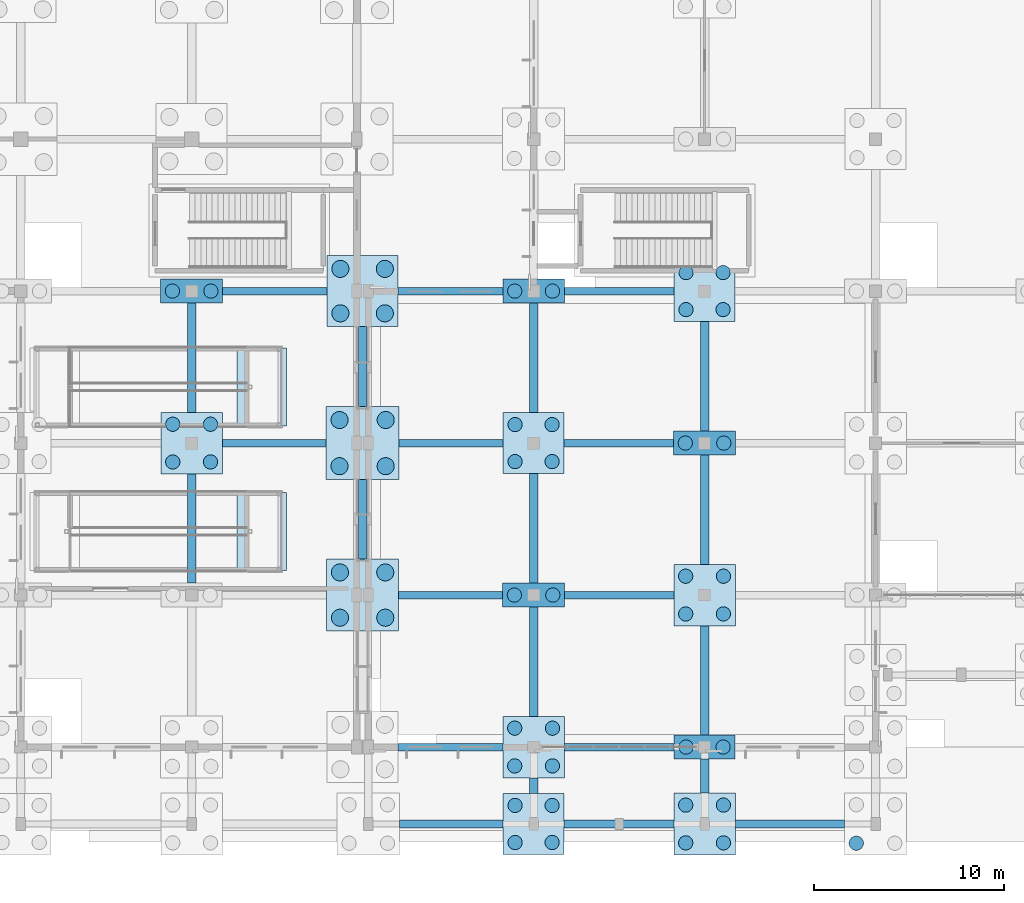
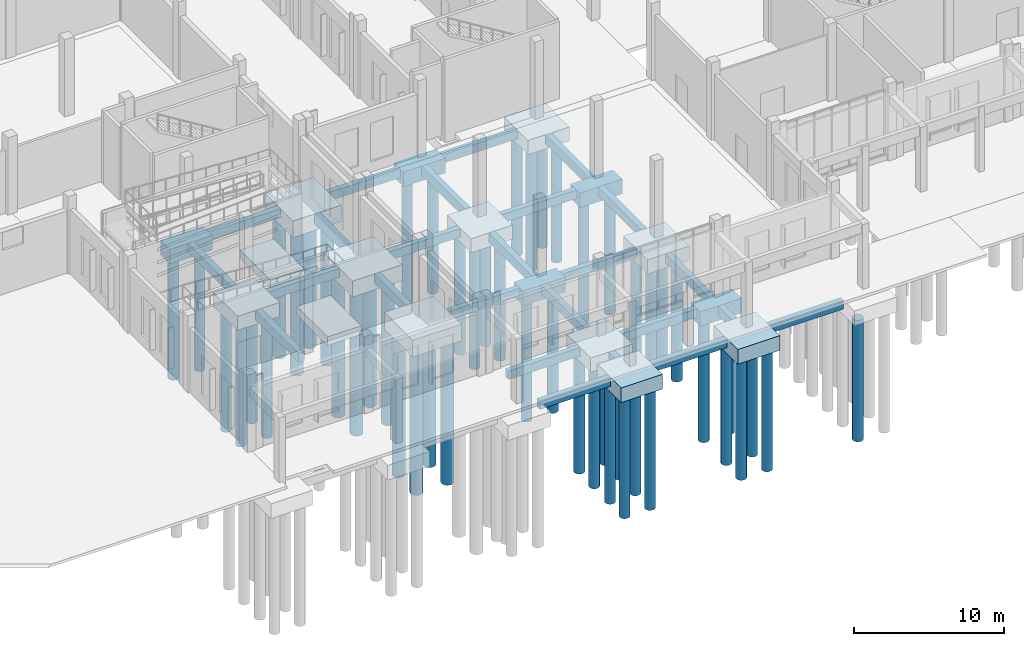
# One storey, part 4 of 99: 51 piles, 42 footings.
"""IFC4 building model written with IfcOpenShell, lengths in metres."""

from ifc_helpers import new_model, si_unit, direction, frame, origin, origin_2d, place, context, subcontext, project, spatial, polyline, rectangle, circle, outline, extrude, material, layer, layer_set, material_profile, profile_set, type_object, element, save


model = new_model("IFC4")

# Units and contexts
model_context = context("Model", 3, precision=1e-05, world=origin(), true_north=direction((0.0, 1.0)))
body_context = subcontext(model_context, "Body", "Model", "MODEL_VIEW")
ifc_project = project(units=[si_unit("LENGTHUNIT", "METRE"), si_unit("AREAUNIT", "SQUARE_METRE"), si_unit("VOLUMEUNIT", "CUBIC_METRE"), si_unit("PLANEANGLEUNIT", "RADIAN"), si_unit("MASSUNIT", "GRAM", prefix="KILO")], contexts=[model_context])

# Site, building, storey
site_placement = place(None, origin())
site = spatial("IfcSite", under=ifc_project, at=site_placement, CompositionType="ELEMENT")
building_placement = place(site_placement, origin())
building = spatial("IfcBuilding", under=site, at=building_placement, Name="Zacnel Wholesale Market", CompositionType="ELEMENT")
storey_placement = place(building_placement, origin())
storey = spatial("IfcBuildingStorey", under=building, at=storey_placement, Name="L01", CompositionType="ELEMENT", Elevation=0.0)

# Footings
ifc_material_1 = material(Name="Concrete C35/45", Category="concrete")
ifc_material_profile_1 = material_profile(ifc_material_1, rectangle(XDim=0.39990234375, YDim=0.699951171875, at=origin_2d()), Name="CT 400x700")
ifc_profile_set_1 = profile_set([ifc_material_profile_1], Name="Concrete C35/45")
footing_type_1 = type_object("IfcFootingType", Name="FTG-CT400X700", PredefinedType="FOOTING_BEAM", material=ifc_profile_set_1)
footing_1_placement = place(storey_placement, frame((73.93505859375, -4.050048828125, -0.85009765625), z_axis=(1.0, 0.0, 0.0), x_axis=(0.0, 1.0, 0.0)))
element("IfcFooting", 1, at=footing_1_placement, inside=storey, type_object=footing_type_1, Name="Ground tie beam CT-X-0248", PredefinedType="FOOTING_BEAM", context=body_context, shape_type="SweptSolid", body=[
    extrude(rectangle(XDim=0.39990234375, YDim=0.699951171875, at=origin_2d()), origin(), (0.0, 0.0, 1.0), 5.46484375),
])
footing_2_placement = place(storey_placement, frame((82.60009765625, -4.050048828125, -0.85009765625), z_axis=(1.0, 0.0, 0.0), x_axis=(0.0, 1.0, 0.0)))
element("IfcFooting", 2, at=footing_2_placement, inside=storey, type_object=footing_type_1, Name="Ground tie beam CT-X-0249", PredefinedType="FOOTING_BEAM", context=body_context, shape_type="SweptSolid", body=[
    extrude(rectangle(XDim=0.39990234375, YDim=0.699951171875, at=origin_2d()), origin(), (0.0, 0.0, 1.0), 5.77978515625),
])
footing_3_placement = place(storey_placement, frame((91.6201171875, -4.050048828125, -0.85009765625), z_axis=(1.0, 0.0, 0.0), x_axis=(0.0, 1.0, 0.0)))
element("IfcFooting", 3, at=footing_3_placement, inside=storey, type_object=footing_type_1, Name="Ground tie beam CT-X-0250", PredefinedType="FOOTING_BEAM", context=body_context, shape_type="SweptSolid", body=[
    extrude(rectangle(XDim=0.39990234375, YDim=0.699951171875, at=origin_2d()), origin(), (0.0, 0.0, 1.0), 5.744873046875),
])
footing_4_placement = place(storey_placement, frame((73.8701171875, 0.0, -0.85009765625), z_axis=(1.0, 0.0, 0.0), x_axis=(0.0, 1.0, 0.0)))
element("IfcFooting", 4, at=footing_4_placement, inside=storey, type_object=footing_type_1, Name="Ground tie beam CT-X-0253", PredefinedType="FOOTING_BEAM", context=body_context, shape_type="SweptSolid", body=[
    extrude(rectangle(XDim=0.39990234375, YDim=0.699951171875, at=origin_2d()), origin(), (0.0, 0.0, 1.0), 5.509765625),
])
footing_5_placement = place(storey_placement, frame((82.6201171875, 0.0, -0.85009765625), z_axis=(1.0, 0.0, 0.0), x_axis=(0.0, 1.0, 0.0)))
element("IfcFooting", 5, at=footing_5_placement, inside=storey, type_object=footing_type_1, Name="Ground tie beam CT-X-0254", PredefinedType="FOOTING_BEAM", context=body_context, shape_type="SweptSolid", body=[
    extrude(rectangle(XDim=0.39990234375, YDim=0.699951171875, at=origin_2d()), origin(), (0.0, 0.0, 1.0), 5.77978515625),
])
footing_6_placement = place(storey_placement, frame((73.889892578125, 8.0, -0.85009765625), z_axis=(1.0, 0.0, 0.0), x_axis=(0.0, 1.0, 0.0)))
element("IfcFooting", 6, at=footing_6_placement, inside=storey, type_object=footing_type_1, Name="Ground tie beam CT-X-0269", PredefinedType="FOOTING_BEAM", context=body_context, shape_type="SweptSolid", body=[
    extrude(rectangle(XDim=0.39990234375, YDim=0.699951171875, at=origin_2d()), origin(), (0.0, 0.0, 1.0), 5.47509765625),
])
footing_7_placement = place(storey_placement, frame((82.635009765625, 8.0, -0.85009765625), z_axis=(1.0, 0.0, 0.0), x_axis=(0.0, 1.0, 0.0)))
element("IfcFooting", 7, at=footing_7_placement, inside=storey, type_object=footing_type_1, Name="Ground tie beam CT-X-0270", PredefinedType="FOOTING_BEAM", context=body_context, shape_type="SweptSolid", body=[
    extrude(rectangle(XDim=0.39990234375, YDim=0.699951171875, at=origin_2d()), origin(), (0.0, 0.0, 1.0), 5.744873046875),
])
footing_8_placement = place(storey_placement, frame((64.6201171875, 16.0, -0.85009765625), z_axis=(1.0, 0.0, 0.0), x_axis=(0.0, 1.0, 0.0)))
element("IfcFooting", 8, at=footing_8_placement, inside=storey, type_object=footing_type_1, Name="Ground tie beam CT-X-0284", PredefinedType="FOOTING_BEAM", context=body_context, shape_type="SweptSolid", body=[
    extrude(rectangle(XDim=0.39990234375, YDim=0.699951171875, at=origin_2d()), origin(), (0.0, 0.0, 1.0), 5.46484375),
])
footing_9_placement = place(storey_placement, frame((73.9150390625, 16.0, -0.85009765625), z_axis=(1.0, 0.0, 0.0), x_axis=(0.0, 1.0, 0.0)))
element("IfcFooting", 9, at=footing_9_placement, inside=storey, type_object=footing_type_1, Name="Ground tie beam CT-X-0285", PredefinedType="FOOTING_BEAM", context=body_context, shape_type="SweptSolid", body=[
    extrude(rectangle(XDim=0.39990234375, YDim=0.699951171875, at=origin_2d()), origin(), (0.0, 0.0, 1.0), 5.48486328125),
])
footing_10_placement = place(storey_placement, frame((82.60009765625, 16.0, -0.85009765625), z_axis=(1.0, 0.0, 0.0), x_axis=(0.0, 1.0, 0.0)))
element("IfcFooting", 10, at=footing_10_placement, inside=storey, type_object=footing_type_1, Name="Ground tie beam CT-X-0286", PredefinedType="FOOTING_BEAM", context=body_context, shape_type="SweptSolid", body=[
    extrude(rectangle(XDim=0.39990234375, YDim=0.699951171875, at=origin_2d()), origin(), (0.0, 0.0, 1.0), 5.764892578125),
])
footing_11_placement = place(storey_placement, frame((64.635009765625, 24.0, -0.85009765625), z_axis=(1.0, 0.0, 0.0), x_axis=(0.0, 1.0, 0.0)))
element("IfcFooting", 11, at=footing_11_placement, inside=storey, type_object=footing_type_1, Name="Ground tie beam CT-X-0304", PredefinedType="FOOTING_BEAM", context=body_context, shape_type="SweptSolid", body=[
    extrude(rectangle(XDim=0.39990234375, YDim=0.699951171875, at=origin_2d()), origin(), (0.0, 0.0, 1.0), 5.494873046875),
])
footing_12_placement = place(storey_placement, frame((73.8701171875, 24.0, -0.85009765625), z_axis=(1.0, 0.0, 0.0), x_axis=(0.0, 1.0, 0.0)))
element("IfcFooting", 12, at=footing_12_placement, inside=storey, type_object=footing_type_1, Name="Ground tie beam CT-X-0305", PredefinedType="FOOTING_BEAM", context=body_context, shape_type="SweptSolid", body=[
    extrude(rectangle(XDim=0.39990234375, YDim=0.699951171875, at=origin_2d()), origin(), (0.0, 0.0, 1.0), 5.509765625),
])
footing_13_placement = place(storey_placement, frame((82.6201171875, 24.0, -0.85009765625), z_axis=(1.0, 0.0, 0.0), x_axis=(0.0, 1.0, 0.0)))
element("IfcFooting", 13, at=footing_13_placement, inside=storey, type_object=footing_type_1, Name="Ground tie beam CT-X-0306", PredefinedType="FOOTING_BEAM", context=body_context, shape_type="SweptSolid", body=[
    extrude(rectangle(XDim=0.39990234375, YDim=0.699951171875, at=origin_2d()), origin(), (0.0, 0.0, 1.0), 5.77978515625),
])
ifc_material_2 = material(Name="Concrete C35/45", Category="concrete")
ifc_material_profile_2 = material_profile(ifc_material_2, rectangle(XDim=0.449951171875, YDim=0.75, at=origin_2d()), Name="CT 450x750")
ifc_profile_set_2 = profile_set([ifc_material_profile_2], Name="Concrete C35/45")
footing_type_2 = type_object("IfcFootingType", Name="FTG-CT450X750", PredefinedType="FOOTING_BEAM", material=ifc_profile_set_2)
for number, where, z_axis, x_axis, name in (
    (14, (63.0, 8.625, -0.875), (0.0, 1.0, 0.0), (-1.0, 0.0, 0.0), "Ground tie beam CT-Y-0074"),
    (15, (63.0, 17.6201171875, -0.875), (0.0, 1.0, 0.0), (-1.0, 0.0, 0.0), "Ground tie beam CT-Y-0075"),
):
    element("IfcFooting", number, at=place(storey_placement, frame(where, z_axis=z_axis, x_axis=x_axis)), inside=storey, type_object=footing_type_2, Name=name, PredefinedType="FOOTING_BEAM", context=body_context, shape_type="SweptSolid", body=[
        extrude(rectangle(XDim=0.449951171875, YDim=0.75, at=origin_2d()), origin(), (0.0, 0.0, 1.0), 5.7548828125),
    ])
footing_14_placement = place(storey_placement, frame((72.0, 9.889892578125, -0.875), z_axis=(0.0, 1.0, 0.0), x_axis=(-1.0, 0.0, 0.0)))
element("IfcFooting", 16, at=footing_14_placement, inside=storey, type_object=footing_type_2, Name="Ground tie beam CT-Y-0094", PredefinedType="FOOTING_BEAM", context=body_context, shape_type="SweptSolid", body=[
    extrude(rectangle(XDim=0.449951171875, YDim=0.75, at=origin_2d()), origin(), (0.0, 0.0, 1.0), 4.195068359375),
])
footing_15_placement = place(storey_placement, frame((72.0, 17.9150390625, -0.875), z_axis=(0.0, 1.0, 0.0), x_axis=(-1.0, 0.0, 0.0)))
element("IfcFooting", 17, at=footing_15_placement, inside=storey, type_object=footing_type_2, Name="Ground tie beam CT-Y-0095", PredefinedType="FOOTING_BEAM", context=body_context, shape_type="SweptSolid", body=[
    extrude(rectangle(XDim=0.449951171875, YDim=0.75, at=origin_2d()), origin(), (0.0, 0.0, 1.0), 4.21484375),
])
footing_16_placement = place(storey_placement, frame((81.0, -2.449951171875, -0.875), z_axis=(0.0, 1.0, 0.0), x_axis=(-1.0, 0.0, 0.0)))
element("IfcFooting", 18, at=footing_16_placement, inside=storey, type_object=footing_type_2, Name="Ground tie beam CT-Y-0097", PredefinedType="FOOTING_BEAM", context=body_context, shape_type="SweptSolid", body=[
    extrude(rectangle(XDim=0.449951171875, YDim=0.75, at=origin_2d()), origin(), (0.0, 0.0, 1.0), 0.829833984375),
])
footing_17_placement = place(storey_placement, frame((81.0, 1.6201171875, -0.875), z_axis=(0.0, 1.0, 0.0), x_axis=(-1.0, 0.0, 0.0)))
element("IfcFooting", 19, at=footing_17_placement, inside=storey, type_object=footing_type_2, Name="Ground tie beam CT-Y-0098", PredefinedType="FOOTING_BEAM", context=body_context, shape_type="SweptSolid", body=[
    extrude(rectangle(XDim=0.449951171875, YDim=0.75, at=origin_2d()), origin(), (0.0, 0.0, 1.0), 5.7548828125),
])
for number, where, z_axis, x_axis, name in (
    (20, (81.0, 8.625, -0.875), (0.0, 1.0, 0.0), (-1.0, 0.0, 0.0), "Ground tie beam CT-Y-0099"),
    (21, (81.0, 17.60009765625, -0.875), (0.0, 1.0, 0.0), (-1.0, 0.0, 0.0), "Ground tie beam CT-Y-0100"),
):
    element("IfcFooting", number, at=place(storey_placement, frame(where, z_axis=z_axis, x_axis=x_axis)), inside=storey, type_object=footing_type_2, Name=name, PredefinedType="FOOTING_BEAM", context=body_context, shape_type="SweptSolid", body=[
        extrude(rectangle(XDim=0.449951171875, YDim=0.75, at=origin_2d()), origin(), (0.0, 0.0, 1.0), 5.77490234375),
    ])
footing_18_placement = place(storey_placement, frame((90.0, -2.429931640625, -0.875), z_axis=(0.0, 1.0, 0.0), x_axis=(-1.0, 0.0, 0.0)))
element("IfcFooting", 22, at=footing_18_placement, inside=storey, type_object=footing_type_2, Name="Ground tie beam CT-Y-0106", PredefinedType="FOOTING_BEAM", context=body_context, shape_type="SweptSolid", body=[
    extrude(rectangle(XDim=0.449951171875, YDim=0.75, at=origin_2d()), origin(), (0.0, 0.0, 1.0), 1.804931640625),
])
for number, where, z_axis, x_axis, name in (
    (23, (90.0, 0.625, -0.875), (0.0, 1.0, 0.0), (-1.0, 0.0, 0.0), "Ground tie beam CT-Y-0107"),
    (24, (90.0, 9.6201171875, -0.875), (0.0, 1.0, 0.0), (-1.0, 0.0, 0.0), "Ground tie beam CT-Y-0108"),
):
    element("IfcFooting", number, at=place(storey_placement, frame(where, z_axis=z_axis, x_axis=x_axis)), inside=storey, type_object=footing_type_2, Name=name, PredefinedType="FOOTING_BEAM", context=body_context, shape_type="SweptSolid", body=[
        extrude(rectangle(XDim=0.449951171875, YDim=0.75, at=origin_2d()), origin(), (0.0, 0.0, 1.0), 5.7548828125),
    ])
footing_19_placement = place(storey_placement, frame((90.0, 16.625, -0.875), z_axis=(0.0, 1.0, 0.0), x_axis=(-1.0, 0.0, 0.0)))
element("IfcFooting", 25, at=footing_19_placement, inside=storey, type_object=footing_type_2, Name="Ground tie beam CT-Y-0109", PredefinedType="FOOTING_BEAM", context=body_context, shape_type="SweptSolid", body=[
    extrude(rectangle(XDim=0.449951171875, YDim=0.75, at=origin_2d()), origin(), (0.0, 0.0, 1.0), 5.77490234375),
])
ifc_material_3 = material(Name="Concrete C35/45", Category="concrete")
ifc_layer_1 = layer(ifc_material_3, 1.199951171875)
ifc_layer_set_1 = layer_set([ifc_layer_1], Name="Concrete C35/45")
footing_type_3 = type_object("IfcFootingType", Name="FTG-PC-3200X1250X1200", PredefinedType="PILE_CAP", material=ifc_layer_set_1)
footing_20_placement = place(storey_placement, frame((90.0, 0.0, -1.7001953125), z_axis=(0.0, 0.0, 1.0), x_axis=(1.0, 0.0, 0.0)))
element("IfcFooting", 26, at=footing_20_placement, inside=storey, type_object=footing_type_3, Name="Pile cap PC-12 (STR-PC-138)", PredefinedType="PILE_CAP", context=body_context, shape_type="SweptSolid", body=[
    extrude(rectangle(XDim=3.199951171875, YDim=1.25, at=origin_2d()), origin(), (0.0, 0.0, 1.0), 1.199951171875),
])
ifc_material_4 = material(Name="Concrete C35/45", Category="concrete")
ifc_layer_2 = layer(ifc_material_4, 1.14990234375)
ifc_layer_set_2 = layer_set([ifc_layer_2], Name="Concrete C35/45")
footing_type_4 = type_object("IfcFootingType", Name="FTG-PC-3200X3200X1150", PredefinedType="PILE_CAP", material=ifc_layer_set_2)
for number, where, z_axis, x_axis, name in (
    (27, (81.0, 16.0, -1.64990234375), (0.0, 0.0, 1.0), (1.0, 0.0, 0.0), "Pile cap PC-09 (STR-PC-129)"),
    (28, (90.0, 24.0, -1.64990234375), (0.0, 0.0, 1.0), (1.0, 0.0, 0.0), "Pile cap PC-09 (STR-PC-141)"),
):
    element("IfcFooting", number, at=place(storey_placement, frame(where, z_axis=z_axis, x_axis=x_axis)), inside=storey, type_object=footing_type_4, Name=name, PredefinedType="PILE_CAP", context=body_context, shape_type="SweptSolid", body=[
        extrude(rectangle(XDim=3.199951171875, YDim=3.199951171875, at=origin_2d()), origin(), (0.0, 0.0, 1.0), 1.14990234375),
    ])
ifc_material_5 = material(Name="Concrete C35/45", Category="concrete")
ifc_layer_3 = layer(ifc_material_5, 1.199951171875)
ifc_layer_set_3 = layer_set([ifc_layer_3], Name="Concrete C35/45")
footing_type_5 = type_object("IfcFootingType", Name="FTG-PC-3200X3200X1200", PredefinedType="PILE_CAP", material=ifc_layer_set_3)
footing_21_placement = place(storey_placement, frame((81.0, -4.050048828125, -1.7001953125), z_axis=(0.0, 0.0, 1.0), x_axis=(1.0, 0.0, 0.0)))
element("IfcFooting", 29, at=footing_21_placement, inside=storey, type_object=footing_type_5, Name="Pile cap PC-21 (STR-PC-R2-BV4W-04)", PredefinedType="PILE_CAP", context=body_context, shape_type="SweptSolid", body=[
    extrude(rectangle(XDim=3.199951171875, YDim=3.199951171875, at=origin_2d()), origin(), (0.0, 0.0, 1.0), 1.199951171875),
])
ifc_material_6 = material(Name="Concrete C35/45", Category="concrete")
ifc_layer_4 = layer(ifc_material_6, 1.199951171875)
ifc_layer_set_4 = layer_set([ifc_layer_4], Name="Concrete C35/45")
footing_type_6 = type_object("IfcFootingType", Name="FTG-PC-3240X1250X1200", PredefinedType="PILE_CAP", material=ifc_layer_set_4)
footing_22_placement = place(storey_placement, frame((81.0, 24.0, -1.7001953125), z_axis=(0.0, 0.0, 1.0), x_axis=(1.0, 0.0, 0.0)))
element("IfcFooting", 30, at=footing_22_placement, inside=storey, type_object=footing_type_6, Name="Pile cap PC-10 (STR-PC-130)", PredefinedType="PILE_CAP", context=body_context, shape_type="SweptSolid", body=[
    extrude(rectangle(XDim=3.239990234375, YDim=1.25, at=origin_2d()), origin(), (0.0, 0.0, 1.0), 1.199951171875),
])
ifc_material_7 = material(Name="Concrete C35/45", Category="concrete")
ifc_layer_5 = layer(ifc_material_7, 1.14990234375)
ifc_layer_set_5 = layer_set([ifc_layer_5], Name="Concrete C35/45")
footing_type_7 = type_object("IfcFootingType", Name="FTG-PC-3240X3240X1150", PredefinedType="PILE_CAP", material=ifc_layer_set_5)
for number, where, z_axis, x_axis, name in (
    (31, (63.0, 16.0, -1.64990234375), (0.0, 0.0, 1.0), (1.0, 0.0, 0.0), "Pile cap PC-07 (STR-PC-097)"),
    (32, (81.0, 0.0, -1.64990234375), (0.0, 0.0, 1.0), (1.0, 0.0, 0.0), "Pile cap PC-07 (STR-PC-127)"),
    (33, (90.0, 8.0, -1.64990234375), (0.0, 0.0, 1.0), (1.0, 0.0, 0.0), "Pile cap PC-07 (STR-PC-139)"),
):
    element("IfcFooting", number, at=place(storey_placement, frame(where, z_axis=z_axis, x_axis=x_axis)), inside=storey, type_object=footing_type_7, Name=name, PredefinedType="PILE_CAP", context=body_context, shape_type="SweptSolid", body=[
        extrude(rectangle(XDim=3.239990234375, YDim=3.239990234375, at=origin_2d()), origin(), (0.0, 0.0, 1.0), 1.14990234375),
    ])
ifc_material_8 = material(Name="Concrete C35/45", Category="concrete")
ifc_layer_6 = layer(ifc_material_8, 1.199951171875)
ifc_layer_set_6 = layer_set([ifc_layer_6], Name="Concrete C35/45")
footing_type_8 = type_object("IfcFootingType", Name="FTG-PC-3240X3240X1200", PredefinedType="PILE_CAP", material=ifc_layer_set_6)
footing_23_placement = place(storey_placement, frame((90.0, -4.050048828125, -1.7001953125), z_axis=(0.0, 0.0, 1.0), x_axis=(1.0, 0.0, 0.0)))
element("IfcFooting", 34, at=footing_23_placement, inside=storey, type_object=footing_type_8, Name="Pile cap PC-22 (STR-PC-R2-BV4W-05)", PredefinedType="PILE_CAP", context=body_context, shape_type="SweptSolid", body=[
    extrude(rectangle(XDim=3.239990234375, YDim=3.239990234375, at=origin_2d()), origin(), (0.0, 0.0, 1.0), 1.199951171875),
])
ifc_material_9 = material(Name="Concrete C35/45", Category="concrete")
ifc_layer_7 = layer(ifc_material_9, 1.199951171875)
ifc_layer_set_7 = layer_set([ifc_layer_7], Name="Concrete C35/45")
footing_type_9 = type_object("IfcFootingType", Name="FTG-PC-3270X1250X1200", PredefinedType="PILE_CAP", material=ifc_layer_set_7)
for number, where, z_axis, x_axis, name in (
    (35, (63.0, 24.0, -1.7001953125), (0.0, 0.0, 1.0), (1.0, 0.0, 0.0), "Pile cap PC-08 (STR-PC-098)"),
    (36, (81.0, 8.0, -1.7001953125), (0.0, 0.0, 1.0), (1.0, 0.0, 0.0), "Pile cap PC-08 (STR-PC-128)"),
    (37, (90.0, 16.0, -1.7001953125), (0.0, 0.0, 1.0), (1.0, 0.0, 0.0), "Pile cap PC-08 (STR-PC-140)"),
):
    element("IfcFooting", number, at=place(storey_placement, frame(where, z_axis=z_axis, x_axis=x_axis)), inside=storey, type_object=footing_type_9, Name=name, PredefinedType="PILE_CAP", context=body_context, shape_type="SweptSolid", body=[
        extrude(rectangle(XDim=3.27001953125, YDim=1.25, at=origin_2d()), origin(), (0.0, 0.0, 1.0), 1.199951171875),
    ])
ifc_material_10 = material(Name="Concrete C35/45", Category="concrete")
ifc_layer_8 = layer(ifc_material_10, 1.35009765625)
ifc_layer_set_8 = layer_set([ifc_layer_8], Name="Concrete C35/45")
footing_type_10 = type_object("IfcFootingType", Name="FTG-PC-3740X3740X1350", PredefinedType="PILE_CAP", material=ifc_layer_set_8)
footing_24_placement = place(storey_placement, frame((72.0, 24.0, -1.85009765625), z_axis=(0.0, 0.0, 1.0), x_axis=(1.0, 0.0, 0.0)))
element("IfcFooting", 38, at=footing_24_placement, inside=storey, type_object=footing_type_10, Name="Pile cap PC-06 (STR-PC-114)", PredefinedType="PILE_CAP", context=body_context, shape_type="SweptSolid", body=[
    extrude(rectangle(XDim=3.739990234375, YDim=3.739990234375, at=origin_2d()), origin(), (0.0, 0.0, 1.0), 1.35009765625),
])
ifc_material_11 = material(Name="Concrete C35/45", Category="concrete")
ifc_layer_9 = layer(ifc_material_11, 1.35009765625)
ifc_layer_set_9 = layer_set([ifc_layer_9], Name="Concrete C35/45")
footing_type_11 = type_object("IfcFootingType", Name="FTG-PC-3780X3780X1350", PredefinedType="PILE_CAP", material=ifc_layer_set_9)
footing_25_placement = place(storey_placement, frame((72.0, 8.0, -1.85009765625), z_axis=(0.0, 0.0, 1.0), x_axis=(1.0, 0.0, 0.0)))
element("IfcFooting", 39, at=footing_25_placement, inside=storey, type_object=footing_type_11, Name="Pile cap PC-04 (STR-PC-112)", PredefinedType="PILE_CAP", context=body_context, shape_type="SweptSolid", body=[
    extrude(rectangle(XDim=3.780029296875, YDim=3.780029296875, at=origin_2d()), origin(), (0.0, 0.0, 1.0), 1.35009765625),
])
ifc_material_12 = material(Name="Concrete C35/45", Category="concrete")
ifc_layer_10 = layer(ifc_material_12, 1.300048828125)
ifc_layer_set_10 = layer_set([ifc_layer_10], Name="Concrete C35/45")
footing_type_12 = type_object("IfcFootingType", Name="FTG-PC-3830X3830X1300", PredefinedType="PILE_CAP", material=ifc_layer_set_10)
footing_26_placement = place(storey_placement, frame((72.0, 16.0, -1.7998046875), z_axis=(0.0, 0.0, 1.0), x_axis=(1.0, 0.0, 0.0)))
element("IfcFooting", 40, at=footing_26_placement, inside=storey, type_object=footing_type_12, Name="Pile cap PC-05 (STR-PC-113)", PredefinedType="PILE_CAP", context=body_context, shape_type="SweptSolid", body=[
    extrude(rectangle(XDim=3.830078125, YDim=3.830078125, at=origin_2d()), origin(), (0.0, 0.0, 1.0), 1.300048828125),
])
ifc_material_13 = material(Name="Concrete C35/45", Category="concrete")
ifc_layer_11 = layer(ifc_material_13, 0.85009765625)
ifc_layer_set_11 = layer_set([ifc_layer_11], Name="Concrete C35/45")
footing_type_13 = type_object("IfcFootingType", Name="FTG-STAIR-MAT-7800X6800", PredefinedType="PAD_FOOTING", material=ifc_layer_set_11)
footing_27_placement = place(storey_placement, frame((0.0, 0.0, -1.199951171875)))
element("IfcFooting", 41, at=footing_27_placement, inside=storey, type_object=footing_type_13, Name="Accessible ramp RP-03 (RMP-PROM-1A) combined foundation E", PredefinedType="PAD_FOOTING", context=body_context, shape_type="SweptSolid", body=[
    extrude(outline(polyline([(65.39208984375, 9.300048828125), (67.991943359375, 9.300048828125), (67.991943359375, 13.39990234375), (65.39208984375, 13.39990234375), (65.39208984375, 9.300048828125)])), origin(), (0.0, 0.0, 1.0), 0.699951171875),
])
footing_28_placement = place(storey_placement, frame((0.0, 0.0, -1.199951171875)))
element("IfcFooting", 42, at=footing_28_placement, inside=storey, type_object=footing_type_13, Name="Accessible ramp RP-03 (RMP-PROM-1B) combined foundation E", PredefinedType="PAD_FOOTING", context=body_context, shape_type="SweptSolid", body=[
    extrude(outline(polyline([(65.39208984375, 16.89990234375), (67.991943359375, 16.89990234375), (67.991943359375, 21.0), (65.39208984375, 21.0), (65.39208984375, 16.89990234375)])), origin(), (0.0, 0.0, 1.0), 0.699951171875),
])

# Piles
ifc_material_14 = material(Name="Concrete C35/45", Category="concrete")
ifc_material_profile_3 = material_profile(ifc_material_14, circle(Radius=0.375, at=origin_2d()), Name="BORED PILE D750")
ifc_profile_set_3 = profile_set([ifc_material_profile_3], Name="Concrete C35/45")
pile_type_1 = type_object("IfcPileType", Name="PILE-BORED-750", PredefinedType="BORED", material=ifc_profile_set_3)
for number, where, z_axis, x_axis, name in (
    (43, (62.006591796875, 15.006591796875, -1.550048828125), (0.0, 0.0, -1.0), (1.0, 0.0, 0.0), "Bored pile STR-PILE-097-01"),
    (44, (62.006591796875, 16.993408203125, -1.550048828125), (0.0, 0.0, -1.0), (1.0, 0.0, 0.0), "Bored pile STR-PILE-097-02"),
    (45, (63.993408203125, 15.006591796875, -1.550048828125), (0.0, 0.0, -1.0), (1.0, 0.0, 0.0), "Bored pile STR-PILE-097-03"),
    (46, (63.993408203125, 16.993408203125, -1.550048828125), (0.0, 0.0, -1.0), (1.0, 0.0, 0.0), "Bored pile STR-PILE-097-04"),
):
    element("IfcPile", number, at=place(storey_placement, frame(where, z_axis=z_axis, x_axis=x_axis)), inside=storey, type_object=pile_type_1, Name=name, PredefinedType="BORED", context=body_context, shape_type="SweptSolid", body=[
        extrude(circle(Radius=0.375, at=origin_2d()), origin(), (0.0, 0.0, 1.0), 9.949951171875),
    ])
for number, where, z_axis, x_axis, name in (
    (47, (61.987548828125, 24.0, -1.60009765625), (0.0, 0.0, -1.0), (1.0, 0.0, 0.0), "Bored pile STR-PILE-098-01"),
    (48, (64.012451171875, 24.0, -1.60009765625), (0.0, 0.0, -1.0), (1.0, 0.0, 0.0), "Bored pile STR-PILE-098-02"),
):
    element("IfcPile", number, at=place(storey_placement, frame(where, z_axis=z_axis, x_axis=x_axis)), inside=storey, type_object=pile_type_1, Name=name, PredefinedType="BORED", context=body_context, shape_type="SweptSolid", body=[
        extrude(circle(Radius=0.375, at=origin_2d()), origin(), (0.0, 0.0, 1.0), 9.89990234375),
    ])
for number, where, z_axis, x_axis, name in (
    (49, (80.006591796875, -0.993408203125, -1.550048828125), (0.0, 0.0, -1.0), (1.0, 0.0, 0.0), "Bored pile STR-PILE-127-01"),
    (50, (80.006591796875, 0.993408203125, -1.550048828125), (0.0, 0.0, -1.0), (1.0, 0.0, 0.0), "Bored pile STR-PILE-127-02"),
    (51, (81.993408203125, -0.993408203125, -1.550048828125), (0.0, 0.0, -1.0), (1.0, 0.0, 0.0), "Bored pile STR-PILE-127-03"),
    (52, (81.993408203125, 0.993408203125, -1.550048828125), (0.0, 0.0, -1.0), (1.0, 0.0, 0.0), "Bored pile STR-PILE-127-04"),
):
    element("IfcPile", number, at=place(storey_placement, frame(where, z_axis=z_axis, x_axis=x_axis)), inside=storey, type_object=pile_type_1, Name=name, PredefinedType="BORED", context=body_context, shape_type="SweptSolid", body=[
        extrude(circle(Radius=0.375, at=origin_2d()), origin(), (0.0, 0.0, 1.0), 9.949951171875),
    ])
for number, where, z_axis, x_axis, name in (
    (53, (79.987548828125, 8.0, -1.60009765625), (0.0, 0.0, -1.0), (1.0, 0.0, 0.0), "Bored pile STR-PILE-128-01"),
    (54, (82.012451171875, 8.0, -1.60009765625), (0.0, 0.0, -1.0), (1.0, 0.0, 0.0), "Bored pile STR-PILE-128-02"),
):
    element("IfcPile", number, at=place(storey_placement, frame(where, z_axis=z_axis, x_axis=x_axis)), inside=storey, type_object=pile_type_1, Name=name, PredefinedType="BORED", context=body_context, shape_type="SweptSolid", body=[
        extrude(circle(Radius=0.375, at=origin_2d()), origin(), (0.0, 0.0, 1.0), 9.89990234375),
    ])
for number, where, z_axis, x_axis, name in (
    (55, (80.02490234375, 15.02490234375, -1.550048828125), (0.0, 0.0, -1.0), (1.0, 0.0, 0.0), "Bored pile STR-PILE-129-01"),
    (56, (80.02490234375, 16.97509765625, -1.550048828125), (0.0, 0.0, -1.0), (1.0, 0.0, 0.0), "Bored pile STR-PILE-129-02"),
    (57, (81.97509765625, 15.02490234375, -1.550048828125), (0.0, 0.0, -1.0), (1.0, 0.0, 0.0), "Bored pile STR-PILE-129-03"),
    (58, (81.97509765625, 16.97509765625, -1.550048828125), (0.0, 0.0, -1.0), (1.0, 0.0, 0.0), "Bored pile STR-PILE-129-04"),
):
    element("IfcPile", number, at=place(storey_placement, frame(where, z_axis=z_axis, x_axis=x_axis)), inside=storey, type_object=pile_type_1, Name=name, PredefinedType="BORED", context=body_context, shape_type="SweptSolid", body=[
        extrude(circle(Radius=0.375, at=origin_2d()), origin(), (0.0, 0.0, 1.0), 9.949951171875),
    ])
for number, where, z_axis, x_axis, name in (
    (59, (80.006591796875, 24.0, -1.60009765625), (0.0, 0.0, -1.0), (1.0, 0.0, 0.0), "Bored pile STR-PILE-130-01"),
    (60, (81.993408203125, 24.0, -1.60009765625), (0.0, 0.0, -1.0), (1.0, 0.0, 0.0), "Bored pile STR-PILE-130-02"),
    (61, (89.02490234375, 0.0, -1.60009765625), (0.0, 0.0, -1.0), (1.0, 0.0, 0.0), "Bored pile STR-PILE-138-01"),
    (62, (90.97509765625, 0.0, -1.60009765625), (0.0, 0.0, -1.0), (1.0, 0.0, 0.0), "Bored pile STR-PILE-138-02"),
):
    element("IfcPile", number, at=place(storey_placement, frame(where, z_axis=z_axis, x_axis=x_axis)), inside=storey, type_object=pile_type_1, Name=name, PredefinedType="BORED", context=body_context, shape_type="SweptSolid", body=[
        extrude(circle(Radius=0.375, at=origin_2d()), origin(), (0.0, 0.0, 1.0), 9.89990234375),
    ])
for number, where, z_axis, x_axis, name in (
    (63, (89.006591796875, 7.006591796875, -1.550048828125), (0.0, 0.0, -1.0), (1.0, 0.0, 0.0), "Bored pile STR-PILE-139-01"),
    (64, (89.006591796875, 8.993408203125, -1.550048828125), (0.0, 0.0, -1.0), (1.0, 0.0, 0.0), "Bored pile STR-PILE-139-02"),
    (65, (90.993408203125, 7.006591796875, -1.550048828125), (0.0, 0.0, -1.0), (1.0, 0.0, 0.0), "Bored pile STR-PILE-139-03"),
    (66, (90.993408203125, 8.993408203125, -1.550048828125), (0.0, 0.0, -1.0), (1.0, 0.0, 0.0), "Bored pile STR-PILE-139-04"),
):
    element("IfcPile", number, at=place(storey_placement, frame(where, z_axis=z_axis, x_axis=x_axis)), inside=storey, type_object=pile_type_1, Name=name, PredefinedType="BORED", context=body_context, shape_type="SweptSolid", body=[
        extrude(circle(Radius=0.375, at=origin_2d()), origin(), (0.0, 0.0, 1.0), 9.949951171875),
    ])
for number, where, z_axis, x_axis, name in (
    (67, (88.987548828125, 16.0, -1.60009765625), (0.0, 0.0, -1.0), (1.0, 0.0, 0.0), "Bored pile STR-PILE-140-01"),
    (68, (91.012451171875, 16.0, -1.60009765625), (0.0, 0.0, -1.0), (1.0, 0.0, 0.0), "Bored pile STR-PILE-140-02"),
):
    element("IfcPile", number, at=place(storey_placement, frame(where, z_axis=z_axis, x_axis=x_axis)), inside=storey, type_object=pile_type_1, Name=name, PredefinedType="BORED", context=body_context, shape_type="SweptSolid", body=[
        extrude(circle(Radius=0.375, at=origin_2d()), origin(), (0.0, 0.0, 1.0), 9.89990234375),
    ])
for number, where, z_axis, x_axis, name in (
    (69, (89.02490234375, 23.02490234375, -1.550048828125), (0.0, 0.0, -1.0), (1.0, 0.0, 0.0), "Bored pile STR-PILE-141-01"),
    (70, (89.02490234375, 24.97509765625, -1.550048828125), (0.0, 0.0, -1.0), (1.0, 0.0, 0.0), "Bored pile STR-PILE-141-02"),
    (71, (90.97509765625, 23.02490234375, -1.550048828125), (0.0, 0.0, -1.0), (1.0, 0.0, 0.0), "Bored pile STR-PILE-141-03"),
    (72, (90.97509765625, 24.97509765625, -1.550048828125), (0.0, 0.0, -1.0), (1.0, 0.0, 0.0), "Bored pile STR-PILE-141-04"),
):
    element("IfcPile", number, at=place(storey_placement, frame(where, z_axis=z_axis, x_axis=x_axis)), inside=storey, type_object=pile_type_1, Name=name, PredefinedType="BORED", context=body_context, shape_type="SweptSolid", body=[
        extrude(circle(Radius=0.375, at=origin_2d()), origin(), (0.0, 0.0, 1.0), 9.949951171875),
    ])
for number, where, z_axis, x_axis, name in (
    (73, (80.02490234375, -5.02490234375, -1.60009765625), (0.0, 0.0, -1.0), (1.0, 0.0, 0.0), "Bored pile STR-PILE-R2-BV4W-04-01"),
    (74, (80.02490234375, -3.074951171875, -1.60009765625), (0.0, 0.0, -1.0), (1.0, 0.0, 0.0), "Bored pile STR-PILE-R2-BV4W-04-02"),
    (75, (81.97509765625, -5.02490234375, -1.60009765625), (0.0, 0.0, -1.0), (1.0, 0.0, 0.0), "Bored pile STR-PILE-R2-BV4W-04-03"),
    (76, (81.97509765625, -3.074951171875, -1.60009765625), (0.0, 0.0, -1.0), (1.0, 0.0, 0.0), "Bored pile STR-PILE-R2-BV4W-04-04"),
    (77, (89.006591796875, -5.04345703125, -1.60009765625), (0.0, 0.0, -1.0), (1.0, 0.0, 0.0), "Bored pile STR-PILE-R2-BV4W-05-01"),
    (78, (89.006591796875, -3.056396484375, -1.60009765625), (0.0, 0.0, -1.0), (1.0, 0.0, 0.0), "Bored pile STR-PILE-R2-BV4W-05-02"),
    (79, (90.993408203125, -5.04345703125, -1.60009765625), (0.0, 0.0, -1.0), (1.0, 0.0, 0.0), "Bored pile STR-PILE-R2-BV4W-05-03"),
    (80, (90.993408203125, -3.056396484375, -1.60009765625), (0.0, 0.0, -1.0), (1.0, 0.0, 0.0), "Bored pile STR-PILE-R2-BV4W-05-04"),
    (81, (97.987548828125, -5.0625, -1.60009765625), (0.0, 0.0, -1.0), (1.0, 0.0, 0.0), "Bored pile STR-PILE-R2-BV4W-06-01"),
):
    element("IfcPile", number, at=place(storey_placement, frame(where, z_axis=z_axis, x_axis=x_axis)), inside=storey, type_object=pile_type_1, Name=name, PredefinedType="BORED", context=body_context, shape_type="SweptSolid", body=[
        extrude(circle(Radius=0.375, at=origin_2d()), origin(), (0.0, 0.0, 1.0), 9.89990234375),
    ])
ifc_material_15 = material(Name="Concrete C35/45", Category="concrete")
ifc_material_profile_4 = material_profile(ifc_material_15, circle(Radius=0.449951171875, at=origin_2d()), Name="BORED PILE D900")
ifc_profile_set_4 = profile_set([ifc_material_profile_4], Name="Concrete C35/45")
pile_type_2 = type_object("IfcPileType", Name="PILE-BORED-900", PredefinedType="BORED", material=ifc_profile_set_4)
for number, where, z_axis, x_axis, name in (
    (82, (70.8076171875, 6.8076171875, -1.75), (0.0, 0.0, -1.0), (1.0, 0.0, 0.0), "Bored pile STR-PILE-112-01"),
    (83, (70.8076171875, 9.1923828125, -1.75), (0.0, 0.0, -1.0), (1.0, 0.0, 0.0), "Bored pile STR-PILE-112-02"),
    (84, (73.1923828125, 6.8076171875, -1.75), (0.0, 0.0, -1.0), (1.0, 0.0, 0.0), "Bored pile STR-PILE-112-03"),
    (85, (73.1923828125, 9.1923828125, -1.75), (0.0, 0.0, -1.0), (1.0, 0.0, 0.0), "Bored pile STR-PILE-112-04"),
):
    element("IfcPile", number, at=place(storey_placement, frame(where, z_axis=z_axis, x_axis=x_axis)), inside=storey, type_object=pile_type_2, Name=name, PredefinedType="BORED", context=body_context, shape_type="SweptSolid", body=[
        extrude(circle(Radius=0.449951171875, at=origin_2d()), origin(), (0.0, 0.0, 1.0), 11.75),
    ])
for number, where, z_axis, x_axis, name in (
    (86, (70.784912109375, 14.784912109375, -1.699951171875), (0.0, 0.0, -1.0), (1.0, 0.0, 0.0), "Bored pile STR-PILE-113-01"),
    (87, (70.784912109375, 17.215087890625, -1.699951171875), (0.0, 0.0, -1.0), (1.0, 0.0, 0.0), "Bored pile STR-PILE-113-02"),
    (88, (73.215087890625, 14.784912109375, -1.699951171875), (0.0, 0.0, -1.0), (1.0, 0.0, 0.0), "Bored pile STR-PILE-113-03"),
    (89, (73.215087890625, 17.215087890625, -1.699951171875), (0.0, 0.0, -1.0), (1.0, 0.0, 0.0), "Bored pile STR-PILE-113-04"),
):
    element("IfcPile", number, at=place(storey_placement, frame(where, z_axis=z_axis, x_axis=x_axis)), inside=storey, type_object=pile_type_2, Name=name, PredefinedType="BORED", context=body_context, shape_type="SweptSolid", body=[
        extrude(circle(Radius=0.449951171875, at=origin_2d()), origin(), (0.0, 0.0, 1.0), 11.800048828125),
    ])
for number, where, z_axis, x_axis, name in (
    (90, (70.830078125, 22.830078125, -1.75), (0.0, 0.0, -1.0), (1.0, 0.0, 0.0), "Bored pile STR-PILE-114-01"),
    (91, (70.830078125, 25.169921875, -1.75), (0.0, 0.0, -1.0), (1.0, 0.0, 0.0), "Bored pile STR-PILE-114-02"),
    (92, (73.169921875, 22.830078125, -1.75), (0.0, 0.0, -1.0), (1.0, 0.0, 0.0), "Bored pile STR-PILE-114-03"),
    (93, (73.169921875, 25.169921875, -1.75), (0.0, 0.0, -1.0), (1.0, 0.0, 0.0), "Bored pile STR-PILE-114-04"),
):
    element("IfcPile", number, at=place(storey_placement, frame(where, z_axis=z_axis, x_axis=x_axis)), inside=storey, type_object=pile_type_2, Name=name, PredefinedType="BORED", context=body_context, shape_type="SweptSolid", body=[
        extrude(circle(Radius=0.449951171875, at=origin_2d()), origin(), (0.0, 0.0, 1.0), 11.75),
    ])

save(model, "model.ifc")
